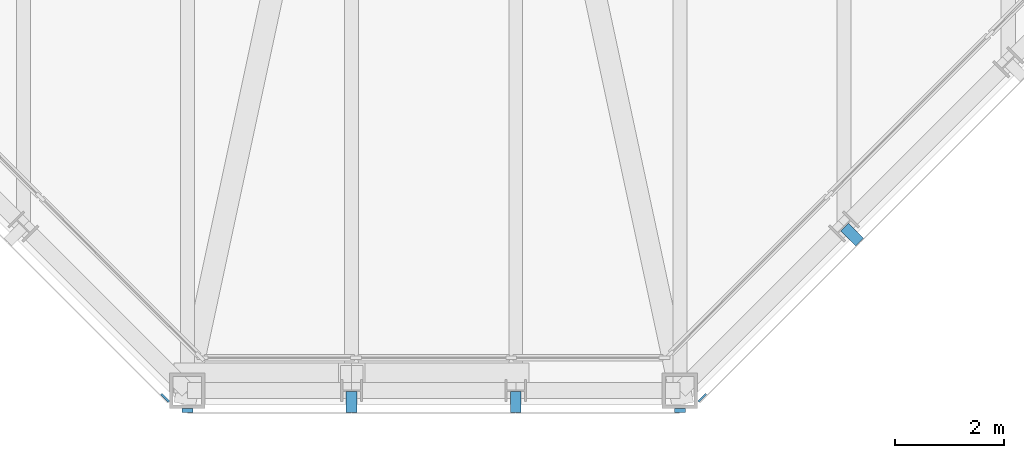
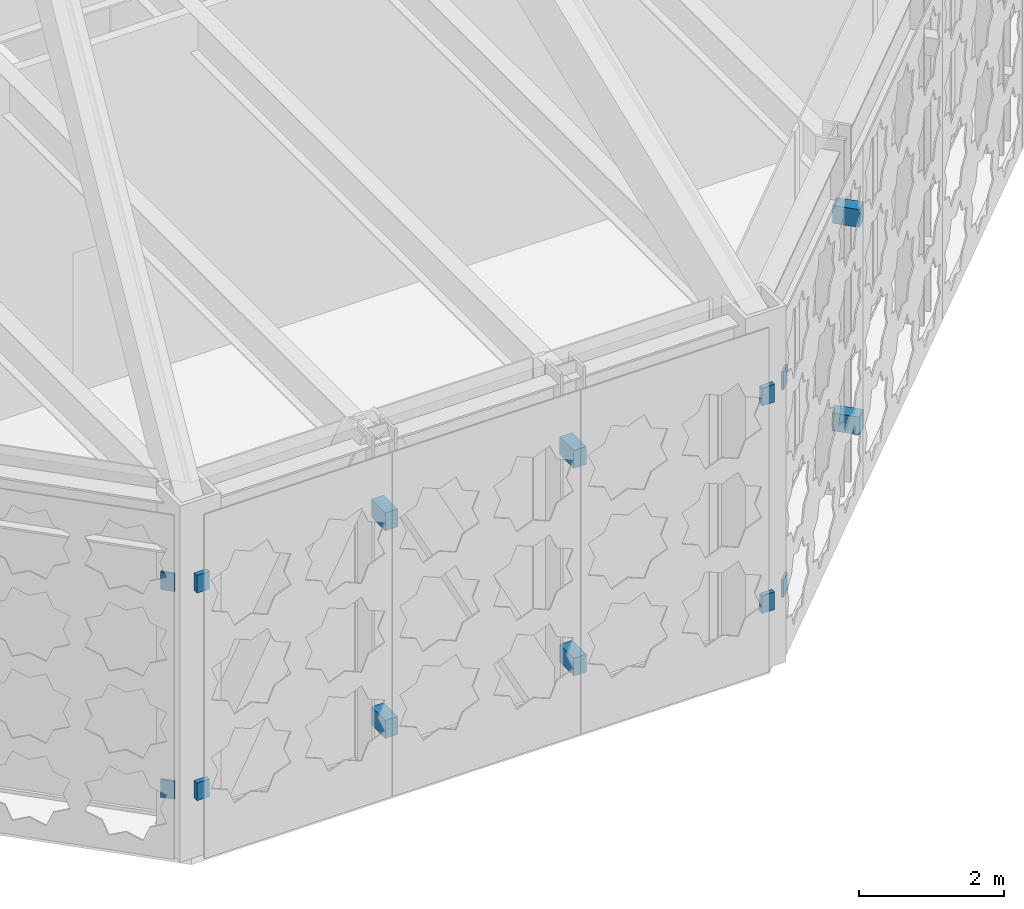
# One storey, part 16 of 30: 14 discrete accessories.
"""IFC4 building model written with IfcOpenShell, lengths in metres."""

from ifc_helpers import new_model, si_unit, direction, frame, origin, origin_2d, place, context, subcontext, project, spatial, rectangle, extrude, material, type_object, element, save


model = new_model("IFC4")

# Units and contexts
model_context = context("Model", 3, precision=1e-05, world=origin(), true_north=direction((0.0, 1.0)))
body_context = subcontext(model_context, "Body", "Model", "MODEL_VIEW")
ifc_project = project(units=[si_unit("LENGTHUNIT", "METRE"), si_unit("AREAUNIT", "SQUARE_METRE"), si_unit("VOLUMEUNIT", "CUBIC_METRE"), si_unit("PLANEANGLEUNIT", "RADIAN"), si_unit("MASSUNIT", "GRAM", prefix="KILO")], contexts=[model_context])

# Site, building, storey
site_placement = place(None, origin())
site = spatial("IfcSite", under=ifc_project, at=site_placement, CompositionType="ELEMENT")
building_placement = place(site_placement, origin())
building = spatial("IfcBuilding", under=site, at=building_placement, Name="Chuquiago Exchange Tower", CompositionType="ELEMENT")
storey_placement = place(building_placement, frame((0.0, 0.0, 306.0)))
storey = spatial("IfcBuildingStorey", under=building, at=storey_placement, Name="L68", CompositionType="ELEMENT", Elevation=306.0)

# Discrete accessories
ifc_material_1 = material(Name="Stainless steel plate bracket", Category="steel")
discrete_accessory_type_1 = type_object("IfcDiscreteAccessoryType", Name="GB1 cladding bracket 388", PredefinedType="BRACKET", material=ifc_material_1)
for number, where, z_axis, x_axis, name in (
    (1, (21.0, -0.206298828125, 1.0048828125), (0.0, 0.0, 1.0), (1.0, 0.0, 0.0), "Cladding bracket L68 S"),
    (2, (21.0, -0.206298828125, 4.5), (0.0, 0.0, 1.0), (1.0, 0.0, 0.0), "Cladding bracket L68 S"),
    (3, (24.0, -0.206298828125, 1.0048828125), (0.0, 0.0, 1.0), (1.0, 0.0, 0.0), "Cladding bracket L68 S"),
    (4, (24.0, -0.206298828125, 4.5), (0.0, 0.0, 1.0), (1.0, 0.0, 0.0), "Cladding bracket L68 S"),
):
    element("IfcDiscreteAccessory", number, at=place(storey_placement, frame(where, z_axis=z_axis, x_axis=x_axis)), inside=storey, type_object=discrete_accessory_type_1, Name=name, PredefinedType="BRACKET", context=body_context, shape_type="SweptSolid", body=[
        extrude(rectangle(XDim=0.199951171875, YDim=0.3876953125, at=origin_2d()), origin(), (0.0, 0.0, 1.0), 0.300048828125),
    ])
ifc_material_2 = material(Name="Stainless steel plate bracket", Category="steel")
discrete_accessory_type_2 = type_object("IfcDiscreteAccessoryType", Name="GB2 cladding bracket 386", PredefinedType="BRACKET", material=ifc_material_2)
for number, where, z_axis, x_axis, name in (
    (5, (30.146240234375, 2.853759765625, 1.0048828125), (0.0, 0.0, 1.0), (0.707106781187, 0.707106781187, 0.0), "Cladding bracket L68 SE"),
    (6, (30.146240234375, 2.853759765625, 4.5), (0.0, 0.0, 1.0), (0.707106781187, 0.707106781187, 0.0), "Cladding bracket L68 SE"),
):
    element("IfcDiscreteAccessory", number, at=place(storey_placement, frame(where, z_axis=z_axis, x_axis=x_axis)), inside=storey, type_object=discrete_accessory_type_2, Name=name, PredefinedType="BRACKET", context=body_context, shape_type="SweptSolid", body=[
        extrude(rectangle(XDim=0.199951171875, YDim=0.386474609375, at=origin_2d()), origin(), (0.0, 0.0, 1.0), 0.300048828125),
    ])
ifc_material_3 = material(Name="Stainless steel plate bracket", Category="steel")
discrete_accessory_type_3 = type_object("IfcDiscreteAccessoryType", Name="GB4 cladding bracket 75", PredefinedType="BRACKET", material=ifc_material_3)
for number, where, z_axis, x_axis, name in (
    (7, (18.0, -0.362548828125, 1.0048828125), (0.0, 0.0, 1.0), (1.0, 0.0, 0.0), "Cladding bracket L68 S"),
    (8, (18.0, -0.362548828125, 4.5), (0.0, 0.0, 1.0), (1.0, 0.0, 0.0), "Cladding bracket L68 S"),
    (9, (27.0, -0.362548828125, 1.0048828125), (0.0, 0.0, 1.0), (1.0, 0.0, 0.0), "Cladding bracket L68 S"),
    (10, (27.0, -0.362548828125, 4.5), (0.0, 0.0, 1.0), (1.0, 0.0, 0.0), "Cladding bracket L68 S"),
):
    element("IfcDiscreteAccessory", number, at=place(storey_placement, frame(where, z_axis=z_axis, x_axis=x_axis)), inside=storey, type_object=discrete_accessory_type_3, Name=name, PredefinedType="BRACKET", context=body_context, shape_type="SweptSolid", body=[
        extrude(rectangle(XDim=0.199951171875, YDim=0.074951171875, at=origin_2d()), origin(), (0.0, 0.0, 1.0), 0.300048828125),
    ])
ifc_material_4 = material(Name="Stainless steel plate bracket", Category="steel")
discrete_accessory_type_4 = type_object("IfcDiscreteAccessoryType", Name="GB6 cladding bracket 35", PredefinedType="BRACKET", material=ifc_material_4)
for number, where, z_axis, x_axis, name in (
    (11, (27.408203125, -0.13232421875, 1.0048828125), (0.0, 0.0, 1.0), (0.707106781187, 0.707106781187, 0.0), "Cladding bracket L68 SE"),
    (12, (27.408203125, -0.13232421875, 4.5), (0.0, 0.0, 1.0), (0.707106781187, 0.707106781187, 0.0), "Cladding bracket L68 SE"),
    (13, (17.591796875, -0.132568359375, 1.0048828125), (0.0, 0.0, 1.0), (0.707106781187, -0.707106781187, 0.0), "Cladding bracket L68 SW"),
    (14, (17.591796875, -0.132568359375, 4.5), (0.0, 0.0, 1.0), (0.707106781187, -0.707106781187, 0.0), "Cladding bracket L68 SW"),
):
    element("IfcDiscreteAccessory", number, at=place(storey_placement, frame(where, z_axis=z_axis, x_axis=x_axis)), inside=storey, type_object=discrete_accessory_type_4, Name=name, PredefinedType="BRACKET", context=body_context, shape_type="SweptSolid", body=[
        extrude(rectangle(XDim=0.199951171875, YDim=0.035400390625, at=origin_2d()), origin(), (0.0, 0.0, 1.0), 0.300048828125),
    ])

save(model, "model.ifc")
